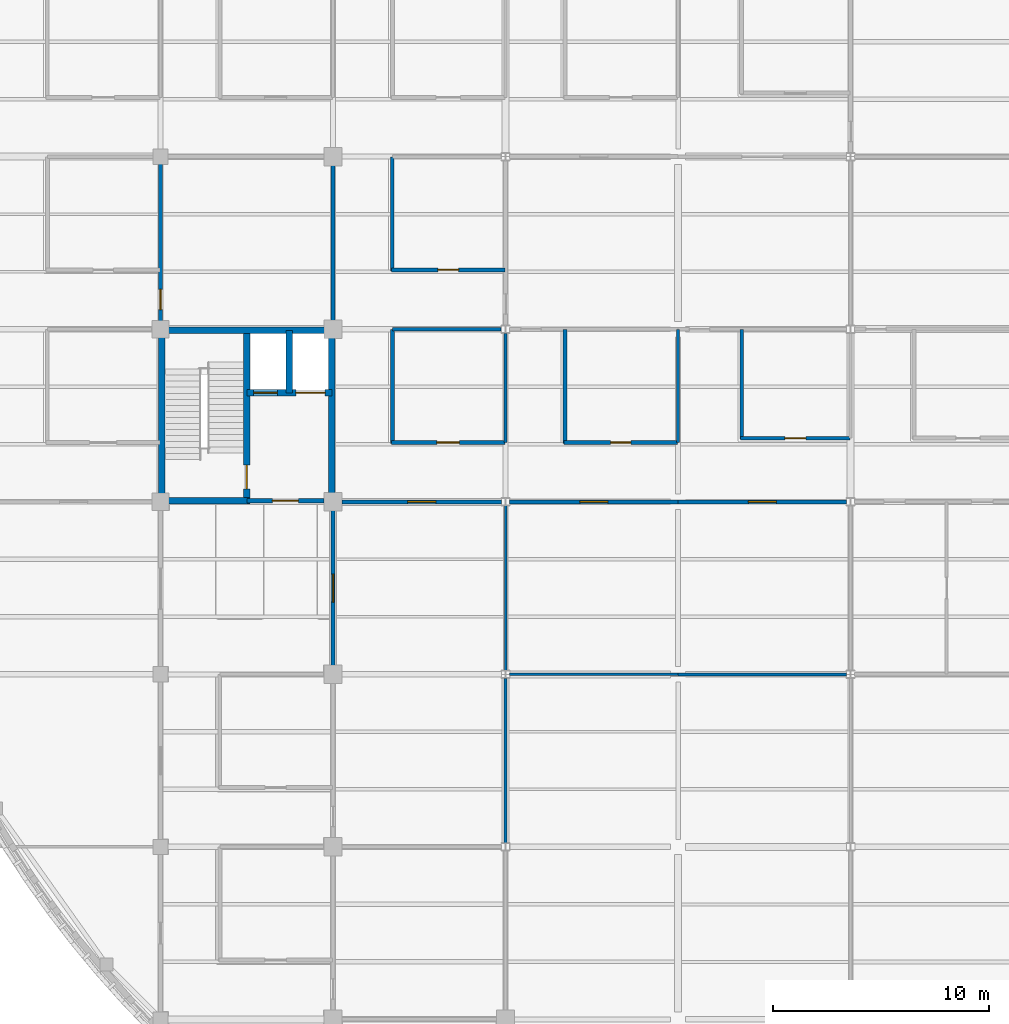
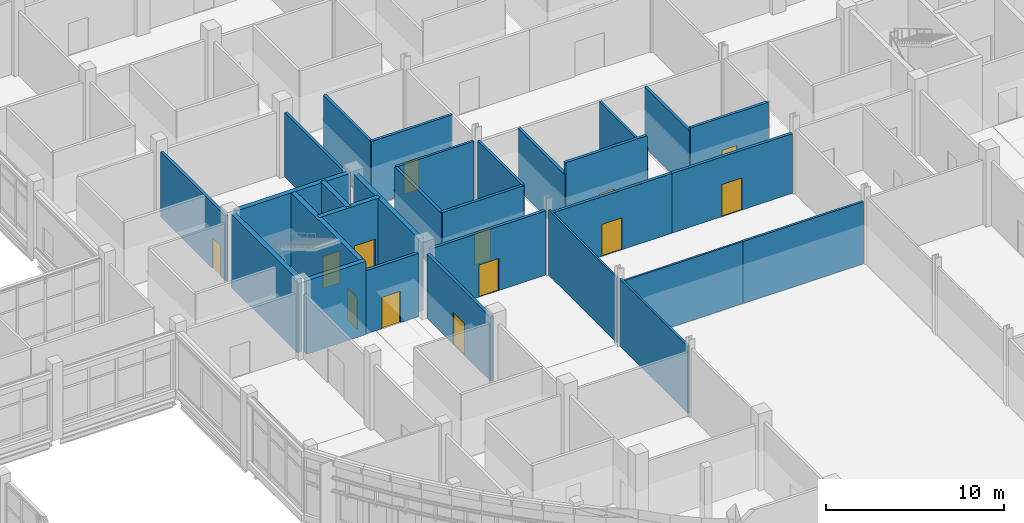
# One storey, part 65 of 105: 29 walls, 13 doors, 13 openings.
"""IFC4 building model written with IfcOpenShell, lengths in metres."""

import ifcopenshell
import ifcopenshell.guid

model = None  # the IFC model being written
_history = None  # IfcOwnerHistory: only IFC2X3 demands one
_inside = {}  # id of a spatial element -> (the spatial element, [elements in it])
_under = {}  # id of a project, library or spatial element -> (it, [spatial elements below it])
_declared = {}  # id of a project -> (the project, [libraries it declares])
_typed = {}  # id of a type object -> (the type object, [elements of that type])
_made_of = {}  # id of a material, layer set ... -> (it, [elements and type objects made of it])


def new_model(schema):
    """Start an empty IFC model of exactly this schema.

    Asked for "IFC4X3", IfcOpenShell would pick the latest addendum, in which some entities
    have other attributes; the version numbers below select the first issue.
    IFC2X3 requires an IfcOwnerHistory on every rooted entity: one is made here for all.
    """
    global model, _history
    if schema == "IFC4X3":
        model = ifcopenshell.file(schema_version=(4, 3, 0, 0))
    else:
        model = ifcopenshell.file(schema=schema)
    _inside.clear()
    _under.clear()
    _declared.clear()
    _typed.clear()
    _made_of.clear()
    _history = None
    if model.schema == "IFC2X3":
        org = make("IfcOrganization", Name="unknown")
        user = make(
            "IfcPersonAndOrganization",
            ThePerson=make("IfcPerson", FamilyName="unknown"),
            TheOrganization=org,
        )
        app = make(
            "IfcApplication",
            ApplicationDeveloper=org,
            Version="unknown",
            ApplicationFullName="unknown",
            ApplicationIdentifier="unknown",
        )
        _history = make(
            "IfcOwnerHistory",
            OwningUser=user,
            OwningApplication=app,
            ChangeAction="ADDED",
            CreationDate=0,
        )
    return model


def make(cls, **values):
    """One entity of the class cls with the attributes given. An attribute that is None is left unset."""
    return model.create_entity(
        cls, **{name: value for name, value in values.items() if value is not None}
    )


def rooted(cls, **values):
    """An entity with a GlobalId (a new one), such as an element, a storey or a relation."""
    return make(cls, GlobalId=ifcopenshell.guid.new(), OwnerHistory=_history, **values)


def si_unit(unit_type, name, prefix=None):
    """IfcSIUnit, for example si_unit("LENGTHUNIT", "METRE", prefix="MILLI")."""
    return make("IfcSIUnit", UnitType=unit_type, Prefix=prefix, Name=name)


def derived_unit(unit_type, elements):
    """IfcDerivedUnit: a product of units, each with its exponent."""
    return make(
        "IfcDerivedUnit",
        Elements=[
            make("IfcDerivedUnitElement", Unit=unit, Exponent=power)
            for unit, power in elements
        ],
        UnitType=unit_type,
    )


def assignment(units):
    """IfcUnitAssignment: the units of a project."""
    return None if units is None else make("IfcUnitAssignment", Units=units)


def point(xyz):
    """IfcCartesianPoint."""
    return None if xyz is None else make("IfcCartesianPoint", Coordinates=xyz)


def direction(xyz):
    """IfcDirection."""
    return None if xyz is None else make("IfcDirection", DirectionRatios=xyz)


def frame(location, z_axis=None, x_axis=None):
    """IfcAxis2Placement3D, a coordinate frame: its origin and axes. An axis left out is left unset."""
    return make(
        "IfcAxis2Placement3D",
        Location=point(location),
        Axis=direction(z_axis),
        RefDirection=direction(x_axis),
    )


def frame_2d(location, x_axis=None):
    """IfcAxis2Placement2D, a coordinate frame in the plane: its origin and x axis."""
    return make(
        "IfcAxis2Placement2D", Location=point(location), RefDirection=direction(x_axis)
    )


def origin():
    """The frame at (0, 0, 0) with its axes left unset."""
    return frame((0.0, 0.0, 0.0))


def place(relative_to, where):
    """IfcLocalPlacement: puts the frame where relative to a parent placement (None: the world)."""
    return make(
        "IfcLocalPlacement", PlacementRelTo=relative_to, RelativePlacement=where
    )


def context(
    kind, dimensions, precision=None, world=None, true_north=None, identifier=None
):
    """IfcGeometricRepresentationContext, for example the 3D "Model" context."""
    return make(
        "IfcGeometricRepresentationContext",
        ContextIdentifier=identifier,
        ContextType=kind,
        CoordinateSpaceDimension=dimensions,
        Precision=precision,
        WorldCoordinateSystem=world,
        TrueNorth=true_north,
    )


def subcontext(parent, identifier, kind, view, scale=None):
    """IfcGeometricRepresentationSubContext, for example "Body" below "Model"."""
    return make(
        "IfcGeometricRepresentationSubContext",
        ContextIdentifier=identifier,
        ContextType=kind,
        ParentContext=parent,
        TargetScale=scale,
        TargetView=view,
    )


def project(units=None, contexts=None):
    """IfcProject with its units and contexts."""
    return rooted(
        "IfcProject",
        Name="project",
        RepresentationContexts=contexts,
        UnitsInContext=assignment(units),
    )


def spatial(cls, under=None, at=None, **own):
    """A site, building, storey or space (cls), placed at a placement, below another one or the project."""
    s = rooted(cls, ObjectPlacement=at, **own)
    if under is not None:
        _under.setdefault(under.id(), (under, []))[1].append(s)
    return s


def profile(cls, at=None, kind="AREA", **sizes):
    """A parametric profile (cls). Its sizes go by their IFC names, for example OverallWidth=200.0."""
    return make(cls, ProfileType=kind, Position=at, **sizes)


def rectangle(**sizes):
    """IfcRectangleProfileDef."""
    return profile("IfcRectangleProfileDef", **sizes)


def extrude(swept, where, along, depth):
    """IfcExtrudedAreaSolid: the profile swept, set in the frame where, extruded along a direction by depth."""
    return make(
        "IfcExtrudedAreaSolid",
        SweptArea=swept,
        Position=where,
        ExtrudedDirection=direction(along),
        Depth=depth,
    )


def shape(context_of_items, identifier, shape_type, items):
    """IfcShapeRepresentation: the items that make up one representation, for example the "Body"."""
    return make(
        "IfcShapeRepresentation",
        ContextOfItems=context_of_items,
        RepresentationIdentifier=identifier,
        RepresentationType=shape_type,
        Items=items,
    )


def material(Name=None, Category=None):
    """IfcMaterial."""
    return make("IfcMaterial", Name=Name, Category=Category)


def layer(
    of_material, thickness, ventilated=None, Name=None, Category=None, Priority=None
):
    """IfcMaterialLayer: one layer of a wall or slab, of a material (None: an air gap)."""
    return make(
        "IfcMaterialLayer",
        Material=of_material,
        LayerThickness=thickness,
        IsVentilated=ventilated,
        Name=Name,
        Category=Category,
        Priority=Priority,
    )


def layer_set(layers, Name=None):
    """IfcMaterialLayerSet."""
    return make("IfcMaterialLayerSet", MaterialLayers=layers, LayerSetName=Name)


def made_of(thing, what):
    """Note that an element or type object is made of a material, layer set ...; save() writes the relation."""
    if what is not None:
        _made_of.setdefault(what.id(), (what, []))[1].append(thing)
    return thing


def type_object(cls, material=None, **own):
    """A type object (cls), such as IfcWallType, which elements share."""
    return made_of(rooted(cls, **own), material)


def element(
    cls,
    number,
    at=None,
    inside=None,
    cuts=None,
    type_object=None,
    material=None,
    context=None,
    identifier="Body",
    shape_type=None,
    held_by="IfcProductDefinitionShape",
    body=None,
    shapes=None,
    **own,
):
    """One element of the class cls, such as IfcWall. Its Tag is "e" and its number.

    at: its placement. inside: the storey or other place that contains it. cuts: it is an
    opening in that element (IfcRelVoidsElement). A single representation is given by context,
    identifier, shape_type and body (its items); several are given by shapes. held_by: the class
    of the entity that holds the representations. save() writes the other relations.
    """
    e = rooted(cls, Tag="e%d" % number, ObjectPlacement=at, **own)
    if body is not None:
        shapes = [shape(context, identifier, shape_type, body)]
    if shapes is not None:
        e.Representation = make(held_by, Representations=shapes)
    if inside is not None:
        _inside.setdefault(inside.id(), (inside, []))[1].append(e)
    if cuts is not None:
        rooted(
            "IfcRelVoidsElement", RelatingBuildingElement=cuts, RelatedOpeningElement=e
        )
    if type_object is not None:
        _typed.setdefault(type_object.id(), (type_object, []))[1].append(e)
    return made_of(e, material)


def fill(opening, filler):
    """IfcRelFillsElement: the door or window that sits in an opening."""
    return rooted(
        "IfcRelFillsElement",
        RelatingOpeningElement=opening,
        RelatedBuildingElement=filler,
    )


def aggregate(whole, parts):
    """IfcRelAggregates: a whole, such as a stair, and the parts it consists of."""
    return rooted("IfcRelAggregates", RelatingObject=whole, RelatedObjects=parts)


def save(model, path):
    """Write the relations noted so far, then the file.

    IfcRelAggregates (storeys below a building ...), IfcRelContainedInSpatialStructure (elements
    in a storey), IfcRelDefinesByType, IfcRelAssociatesMaterial and IfcRelDeclares: one each for
    every whole, place, type object, material and project.
    """
    for whole, parts in _under.values():
        aggregate(whole, parts)
    for where, things in _inside.values():
        rooted(
            "IfcRelContainedInSpatialStructure",
            RelatedElements=things,
            RelatingStructure=where,
        )
    for kind, things in _typed.values():
        rooted("IfcRelDefinesByType", RelatedObjects=things, RelatingType=kind)
    for what, things in _made_of.values():
        rooted("IfcRelAssociatesMaterial", RelatedObjects=things, RelatingMaterial=what)
    for by, libraries in _declared.values():
        rooted("IfcRelDeclares", RelatingContext=by, RelatedDefinitions=libraries)
    model.write(path)


model = new_model("IFC4")

# Units and contexts
model_context = context("Model", 3, precision=1e-05, world=origin(), true_north=direction((0.0, 1.0)))
body_context = subcontext(model_context, "Body", "Model", "MODEL_VIEW")
ifc_project = project(units=[si_unit("LENGTHUNIT", "METRE"), si_unit("AREAUNIT", "SQUARE_METRE"), si_unit("VOLUMEUNIT", "CUBIC_METRE"), si_unit("PLANEANGLEUNIT", "RADIAN"), si_unit("MASSUNIT", "GRAM", prefix="KILO"), derived_unit("THERMALTRANSMITTANCEUNIT", [(si_unit("MASSUNIT", "GRAM", prefix="KILO"), 1), (si_unit("TIMEUNIT", "SECOND"), -3), (si_unit("THERMODYNAMICTEMPERATUREUNIT", "KELVIN"), -1)])], contexts=[model_context])

# Site, building, storey
site_placement = place(None, origin())
site = spatial("IfcSite", under=ifc_project, at=site_placement, CompositionType="ELEMENT")
building_placement = place(site_placement, origin())
building = spatial("IfcBuilding", under=site, at=building_placement, Name="Veyamyaing Civic Hall", CompositionType="ELEMENT")
storey_placement = place(building_placement, origin())
storey = spatial("IfcBuildingStorey", under=building, at=storey_placement, Name="L00", CompositionType="ELEMENT", Elevation=0.0)

# Walls
ifc_material_1 = material(Name="Concrete C40/50", Category="concrete")
ifc_layer_1 = layer(ifc_material_1, 0.300048828125, Name="Concrete C40/50")
ifc_layer_set_1 = layer_set([ifc_layer_1], Name="Concrete C40/50")
wall_type_1 = type_object("IfcWallType", Name="WT-05", PredefinedType="SHEAR", material=ifc_layer_set_1)
wall_1_placement = place(storey_placement, frame((64.050048828125, 48.2900390625, 0.0), z_axis=(0.0, 0.0, 1.0), x_axis=(0.0, 1.0, 0.0)))
element("IfcWall", 1, at=wall_1_placement, inside=storey, type_object=wall_type_1, Name="Core shear wall WT-05 CORE-5 L00.W", PredefinedType="SHEAR", context=body_context, shape_type="SweptSolid", body=[
    extrude(rectangle(XDim=7.419921875, YDim=0.300048828125, at=frame_2d((3.7099609375, 0.0))), origin(), (0.0, 0.0, 1.0), 5.034912109375),
])
wall_2_placement = place(storey_placement, frame((64.2900390625, 55.949951171875, 0.0), z_axis=(0.0, 0.0, 1.0), x_axis=(1.0, 0.0, 0.0)))
element("IfcWall", 2, at=wall_2_placement, inside=storey, type_object=wall_type_1, Name="Core shear wall WT-05 CORE-5 L00.N", PredefinedType="SHEAR", context=body_context, shape_type="SweptSolid", body=[
    extrude(rectangle(XDim=7.39501953125, YDim=0.300048828125, at=frame_2d((3.697509765625, 0.0))), origin(), (0.0, 0.0, 1.0), 5.034912109375),
])
wall_3_placement = place(storey_placement, frame((71.949951171875, 48.31494140625, 0.0), z_axis=(0.0, 0.0, 1.0), x_axis=(0.0, 1.0, 0.0)))
element("IfcWall", 3, at=wall_3_placement, inside=storey, type_object=wall_type_1, Name="Core shear wall WT-05 CORE-5 L00.E", PredefinedType="SHEAR", context=body_context, shape_type="SweptSolid", body=[
    extrude(rectangle(XDim=7.3701171875, YDim=0.300048828125, at=frame_2d((3.68505859375, 0.0))), origin(), (0.0, 0.0, 1.0), 5.034912109375),
])
wall_4_placement = place(storey_placement, frame((64.2900390625, 48.050048828125, 0.0), z_axis=(0.0, 0.0, 1.0), x_axis=(1.0, 0.0, 0.0)))
element("IfcWall", 4, at=wall_4_placement, inside=storey, type_object=wall_type_1, Name="Core shear wall WT-05 CORE-5 L00.SS", PredefinedType="SHEAR", context=body_context, shape_type="SweptSolid", body=[
    extrude(rectangle(XDim=3.85986328125, YDim=0.300048828125, at=frame_2d((1.929931640625, 0.0))), origin(), (0.0, 0.0, 1.0), 5.034912109375),
])

# Wall, opening, door
wall_5_placement = place(storey_placement, frame((68.0, 48.050048828125, 0.0), z_axis=(0.0, 0.0, 1.0), x_axis=(0.0, 1.0, 0.0)))
wall_5 = element("IfcWall", 5, at=wall_5_placement, inside=storey, type_object=wall_type_1, Name="Core shear wall WT-05 CORE-5 L00.MID", PredefinedType="SHEAR", context=body_context, shape_type="SweptSolid", body=[
    extrude(rectangle(XDim=7.89990234375, YDim=0.300048828125, at=frame_2d((3.949951171875, 0.0))), origin(), (0.0, 0.0, 1.0), 5.034912109375),
])
opening_1_placement = place(wall_5_placement, frame((0.550048828125, 0.0, 0.0)))
opening_1 = element("IfcOpeningElement", 6, at=opening_1_placement, cuts=wall_5, Name="Opening D-03", PredefinedType="OPENING", context=body_context, shape_type="SweptSolid", body=[
    extrude(rectangle(XDim=1.10009765625, YDim=2.14990234375, at=frame_2d((0.550048828125, 1.074951171875))), frame((0.0, 0.159912109375, 0.0), z_axis=(0.0, -1.0, 0.0), x_axis=(1.0, 0.0, 0.0)), (0.0, 0.0, 1.0), 0.320068359375),
])
ifc_material_2 = material(Name="Galvanized steel S355J2", Category="steel")
door_type_1 = type_object("IfcDoorType", Name="D-03", OperationType="NOTDEFINED", PredefinedType="DOOR", material=ifc_material_2)
door_1_placement = place(opening_1_placement, frame((1.10009765625, 0.0, 0.0), z_axis=(0.0, 0.0, 1.0), x_axis=(-1.0, 0.0, 0.0)))
door_1 = element("IfcDoor", 7, at=door_1_placement, inside=storey, type_object=door_type_1, Name="Exit stair fire door D-03 ST-05 L00", OperationType="SINGLE_SWING_RIGHT", OverallHeight=2.14990234375, OverallWidth=1.10009765625, PredefinedType="DOOR", context=body_context, shape_type="SweptSolid", body=[
    extrude(rectangle(XDim=1.10009765625, YDim=2.14990234375, at=frame_2d((0.550048828125, 1.074951171875))), frame((0.0, 0.02490234375, 0.0), z_axis=(0.0, -1.0, 0.0), x_axis=(1.0, 0.0, 0.0)), (0.0, 0.0, 1.0), 0.050048828125),
])
fill(opening_1, door_1)

# Wall, openings, doors
wall_6_placement = place(storey_placement, frame((68.0, 53.050048828125, 0.0), z_axis=(0.0, 0.0, 1.0), x_axis=(1.0, 0.0, 0.0)))
wall_6 = element("IfcWall", 8, at=wall_6_placement, inside=storey, type_object=wall_type_1, Name="Core shear wall WT-05 CORE-5 L00.LFT", PredefinedType="SHEAR", context=body_context, shape_type="SweptSolid", body=[
    extrude(rectangle(XDim=3.949951171875, YDim=0.300048828125, at=frame_2d((1.97509765625, 0.0))), origin(), (0.0, 0.0, 1.0), 5.034912109375),
])
opening_2_placement = place(wall_6_placement, frame((0.320068359375, 0.0, 0.0)))
opening_2 = element("IfcOpeningElement", 9, at=opening_2_placement, cuts=wall_6, Name="Opening LD-01", PredefinedType="OPENING", context=body_context, shape_type="SweptSolid", body=[
    extrude(rectangle(XDim=1.10009765625, YDim=2.199951171875, at=frame_2d((0.550048828125, 1.10009765625))), frame((0.0, 0.159912109375, 0.0), z_axis=(0.0, -1.0, 0.0), x_axis=(1.0, 0.0, 0.0)), (0.0, 0.0, 1.0), 0.320068359375),
])
opening_3_placement = place(wall_6_placement, frame((2.280029296875, 0.0, 0.0)))
opening_3 = element("IfcOpeningElement", 10, at=opening_3_placement, cuts=wall_6, Name="Opening LD-03", PredefinedType="OPENING", context=body_context, shape_type="SweptSolid", body=[
    extrude(rectangle(XDim=1.35009765625, YDim=2.300048828125, at=frame_2d((0.675048828125, 1.14990234375))), frame((0.0, 0.159912109375, 0.0), z_axis=(0.0, -1.0, 0.0), x_axis=(1.0, 0.0, 0.0)), (0.0, 0.0, 1.0), 0.320068359375),
])
ifc_material_3 = material(Name="Anodised aluminium 6063-T6", Category="aluminium")
door_type_2 = type_object("IfcDoorType", Name="LD-01", OperationType="SLIDING_TO_LEFT", PredefinedType="DOOR", material=ifc_material_3)
door_2_placement = place(opening_2_placement, origin())
door_2 = element("IfcDoor", 11, at=door_2_placement, inside=storey, type_object=door_type_2, Name="Lift sliding landing door LD-01 PL-03 L00", OperationType="SLIDING_TO_LEFT", OverallHeight=2.199951171875, OverallWidth=1.10009765625, PredefinedType="DOOR", context=body_context, shape_type="SweptSolid", body=[
    extrude(rectangle(XDim=1.10009765625, YDim=2.199951171875, at=frame_2d((0.550048828125, 1.10009765625))), frame((0.0, 0.02490234375, 0.0), z_axis=(0.0, -1.0, 0.0), x_axis=(1.0, 0.0, 0.0)), (0.0, 0.0, 1.0), 0.050048828125),
])
fill(opening_2, door_2)
door_type_3 = type_object("IfcDoorType", Name="LD-03", OperationType="DOUBLE_DOOR_SLIDING", PredefinedType="DOOR", material=ifc_material_2)
door_3_placement = place(opening_3_placement, origin())
door_3 = element("IfcDoor", 12, at=door_3_placement, inside=storey, type_object=door_type_3, Name="Lift sliding landing door LD-03 GL-01 L00", OperationType="DOUBLE_DOOR_SLIDING", OverallHeight=2.300048828125, OverallWidth=1.35009765625, PredefinedType="DOOR", context=body_context, shape_type="SweptSolid", body=[
    extrude(rectangle(XDim=1.35009765625, YDim=2.300048828125, at=frame_2d((0.675048828125, 1.14990234375))), frame((0.0, 0.02490234375, 0.0), z_axis=(0.0, -1.0, 0.0), x_axis=(1.0, 0.0, 0.0)), (0.0, 0.0, 1.0), 0.050048828125),
])
fill(opening_3, door_3)

# Wall
wall_7_placement = place(storey_placement, frame((69.97998046875, 53.050048828125, 0.0), z_axis=(0.0, 0.0, 1.0), x_axis=(0.0, 1.0, 0.0)))
element("IfcWall", 13, at=wall_7_placement, inside=storey, type_object=wall_type_1, Name="Core shear wall WT-05 CORE-5 L00.LDIV", PredefinedType="SHEAR", context=body_context, shape_type="SweptSolid", body=[
    extrude(rectangle(XDim=2.89990234375, YDim=0.300048828125, at=frame_2d((1.449951171875, 0.0))), origin(), (0.0, 0.0, 1.0), 5.034912109375),
])

# Wall, opening, door
ifc_layer_2 = layer(ifc_material_1, 0.199951171875, Name="Concrete C40/50")
ifc_layer_set_2 = layer_set([ifc_layer_2], Name="Concrete C40/50")
wall_type_2 = type_object("IfcWallType", Name="WT-06", PredefinedType="PARTITIONING", material=ifc_layer_set_2)
wall_8_placement = place(storey_placement, frame((68.0, 48.050048828125, 0.0), z_axis=(0.0, 0.0, 1.0), x_axis=(1.0, 0.0, 0.0)))
wall_8 = element("IfcWall", 14, at=wall_8_placement, inside=storey, type_object=wall_type_2, Name="Firefighting lift lobby wall WT-06 CORE-5 L00", PredefinedType="PARTITIONING", context=body_context, shape_type="SweptSolid", body=[
    extrude(rectangle(XDim=3.5849609375, YDim=0.199951171875, at=frame_2d((1.79248046875, 0.0))), origin(), (0.0, 0.0, 1.0), 4.3359375),
])
opening_4_placement = place(wall_8_placement, frame((1.1923828125, 0.0, 0.0)))
opening_4 = element("IfcOpeningElement", 15, at=opening_4_placement, cuts=wall_8, Name="Opening D-04", PredefinedType="OPENING", context=body_context, shape_type="SweptSolid", body=[
    extrude(rectangle(XDim=1.199951171875, YDim=2.14990234375, at=frame_2d((0.60009765625, 1.074951171875))), frame((0.0, 0.10986328125, 0.0), z_axis=(0.0, -1.0, 0.0), x_axis=(1.0, 0.0, 0.0)), (0.0, 0.0, 1.0), 0.219970703125),
])
door_type_4 = type_object("IfcDoorType", Name="D-04", OperationType="NOTDEFINED", PredefinedType="DOOR", material=ifc_material_2)
door_4_placement = place(opening_4_placement, frame((1.199951171875, 0.0, 0.0), z_axis=(0.0, 0.0, 1.0), x_axis=(-1.0, 0.0, 0.0)))
door_4 = element("IfcDoor", 16, at=door_4_placement, inside=storey, type_object=door_type_4, Name="Protected lobby fire door D-04 CORE-5 L00", OperationType="SINGLE_SWING_LEFT", OverallHeight=2.14990234375, OverallWidth=1.199951171875, PredefinedType="DOOR", context=body_context, shape_type="SweptSolid", body=[
    extrude(rectangle(XDim=1.199951171875, YDim=2.14990234375, at=frame_2d((0.60009765625, 1.074951171875))), frame((0.0, 0.02490234375, 0.0), z_axis=(0.0, -1.0, 0.0), x_axis=(1.0, 0.0, 0.0)), (0.0, 0.0, 1.0), 0.050048828125),
])
fill(opening_4, door_4)

ifc_material_4 = material(Name="Gypsum board on acoustic steel stud", Category="steel")
ifc_layer_3 = layer(ifc_material_4, 0.175048828125, Name="Gypsum board on acoustic steel stud")
ifc_layer_set_3 = layer_set([ifc_layer_3], Name="Gypsum board on acoustic steel stud")
wall_type_3 = type_object("IfcWallType", Name="WT-07", PredefinedType="PARTITIONING", material=ifc_layer_set_3)
wall_9_placement = place(storey_placement, frame((74.699951171875, 58.75, 0.0), z_axis=(0.0, 0.0, 1.0), x_axis=(1.0, 0.0, 0.0)))
wall_9 = element("IfcWall", 17, at=wall_9_placement, inside=storey, type_object=wall_type_3, Name="Corridor gallery partition WT-07 L00.35.1", PredefinedType="PARTITIONING", context=body_context, shape_type="SweptSolid", body=[
    extrude(rectangle(XDim=5.280029296875, YDim=0.175048828125, at=frame_2d((2.64013671875, 0.0))), origin(), (0.0, 0.0, 1.0), 4.412109375),
])
opening_5_placement = place(wall_9_placement, frame((2.159912109375, 0.0, 0.0)))
opening_5 = element("IfcOpeningElement", 18, at=opening_5_placement, cuts=wall_9, Name="Opening D-25", PredefinedType="OPENING", context=body_context, shape_type="SweptSolid", body=[
    extrude(rectangle(XDim=0.9599609375, YDim=2.139892578125, at=frame_2d((0.47998046875, 1.06982421875))), frame((0.0, 0.097412109375, 0.0), z_axis=(0.0, -1.0, 0.0), x_axis=(1.0, 0.0, 0.0)), (0.0, 0.0, 1.0), 0.195068359375),
])
ifc_material_5 = material(Name="Teak-veneered acoustic timber", Category="wood")
door_type_5 = type_object("IfcDoorType", Name="D-25", OperationType="NOTDEFINED", PredefinedType="DOOR", material=ifc_material_5)
door_5_placement = place(opening_5_placement, origin())
door_5 = element("IfcDoor", 19, at=door_5_placement, inside=storey, type_object=door_type_5, Name="Gallery office door D-25 L00.35", OperationType="SINGLE_SWING_RIGHT", OverallHeight=2.139892578125, OverallWidth=0.9599609375, PredefinedType="DOOR", context=body_context, shape_type="SweptSolid", body=[
    extrude(rectangle(XDim=0.9599609375, YDim=2.139892578125, at=frame_2d((0.47998046875, 1.06982421875))), frame((0.0, 0.02490234375, 0.0), z_axis=(0.0, -1.0, 0.0), x_axis=(1.0, 0.0, 0.0)), (0.0, 0.0, 1.0), 0.050048828125),
])
fill(opening_5, door_5)

# Wall
wall_10_placement = place(storey_placement, frame((74.75, 58.699951171875, 0.0), z_axis=(0.0, 0.0, 1.0), x_axis=(0.0, 1.0, 0.0)))
element("IfcWall", 20, at=wall_10_placement, inside=storey, type_object=wall_type_3, Name="Corridor gallery partition WT-07 L00.35.2", PredefinedType="PARTITIONING", context=body_context, shape_type="SweptSolid", body=[
    extrude(rectangle(XDim=5.280029296875, YDim=0.175048828125, at=frame_2d((2.64013671875, 0.0))), origin(), (0.0, 0.0, 1.0), 4.403076171875),
])

# Wall, opening, door
wall_11_placement = place(storey_placement, frame((90.89990234375, 50.949951171875, 0.0), z_axis=(0.0, 0.0, 1.0), x_axis=(1.0, 0.0, 0.0)))
wall_11 = element("IfcWall", 21, at=wall_11_placement, inside=storey, type_object=wall_type_3, Name="Corridor gallery partition WT-07 L00.41.1", PredefinedType="PARTITIONING", context=body_context, shape_type="SweptSolid", body=[
    extrude(rectangle(XDim=5.080078125, YDim=0.175048828125, at=frame_2d((2.5400390625, 0.0))), origin(), (0.0, 0.0, 1.0), 4.404052734375),
])
opening_6_placement = place(wall_11_placement, frame((2.050048828125, 0.0, 0.0)))
opening_6 = element("IfcOpeningElement", 22, at=opening_6_placement, cuts=wall_11, Name="Opening D-14", PredefinedType="OPENING", context=body_context, shape_type="SweptSolid", body=[
    extrude(rectangle(XDim=0.97998046875, YDim=2.14990234375, at=frame_2d((0.489990234375, 1.074951171875))), frame((0.0, 0.097412109375, 0.0), z_axis=(0.0, -1.0, 0.0), x_axis=(1.0, 0.0, 0.0)), (0.0, 0.0, 1.0), 0.195068359375),
])
door_type_6 = type_object("IfcDoorType", Name="D-14", OperationType="NOTDEFINED", PredefinedType="DOOR", material=ifc_material_5)
door_6_placement = place(opening_6_placement, origin())
door_6 = element("IfcDoor", 23, at=door_6_placement, inside=storey, type_object=door_type_6, Name="Gallery office door D-14 L00.41", OperationType="SINGLE_SWING_RIGHT", OverallHeight=2.14990234375, OverallWidth=0.97998046875, PredefinedType="DOOR", context=body_context, shape_type="SweptSolid", body=[
    extrude(rectangle(XDim=0.97998046875, YDim=2.14990234375, at=frame_2d((0.489990234375, 1.074951171875))), frame((0.0, 0.02490234375, 0.0), z_axis=(0.0, -1.0, 0.0), x_axis=(1.0, 0.0, 0.0)), (0.0, 0.0, 1.0), 0.050048828125),
])
fill(opening_6, door_6)

# Wall
wall_12_placement = place(storey_placement, frame((90.949951171875, 50.89990234375, 0.0), z_axis=(0.0, 0.0, 1.0), x_axis=(0.0, 1.0, 0.0)))
element("IfcWall", 24, at=wall_12_placement, inside=storey, type_object=wall_type_3, Name="Corridor gallery partition WT-07 L00.41.2", PredefinedType="PARTITIONING", context=body_context, shape_type="SweptSolid", body=[
    extrude(rectangle(XDim=5.080078125, YDim=0.175048828125, at=frame_2d((2.5400390625, 0.0))), origin(), (0.0, 0.0, 1.0), 4.1689453125),
])

# Wall, opening, door
wall_13_placement = place(storey_placement, frame((64.0, 56.389892578125, 0.0), z_axis=(0.0, 0.0, 1.0), x_axis=(0.0, 1.0, 0.0)))
wall_13 = element("IfcWall", 25, at=wall_13_placement, inside=storey, type_object=wall_type_3, Name="Interior partition wall WT-07 L00.45", PredefinedType="PARTITIONING", context=body_context, shape_type="SweptSolid", body=[
    extrude(rectangle(XDim=7.27001953125, YDim=0.175048828125, at=frame_2d((3.635009765625, 0.0))), origin(), (0.0, 0.0, 1.0), 4.470947265625),
])
opening_7_placement = place(wall_13_placement, frame((0.52001953125, 0.0, 0.0)))
opening_7 = element("IfcOpeningElement", 26, at=opening_7_placement, cuts=wall_13, Name="Opening D-30", PredefinedType="OPENING", context=body_context, shape_type="SweptSolid", body=[
    extrude(rectangle(XDim=0.93994140625, YDim=2.1201171875, at=frame_2d((0.469970703125, 1.06005859375))), frame((0.0, 0.097412109375, 0.0), z_axis=(0.0, -1.0, 0.0), x_axis=(1.0, 0.0, 0.0)), (0.0, 0.0, 1.0), 0.195068359375),
])
door_type_7 = type_object("IfcDoorType", Name="D-30", OperationType="NOTDEFINED", PredefinedType="DOOR", material=ifc_material_5)
door_7_placement = place(opening_7_placement, frame((0.93994140625, 0.0, 0.0), z_axis=(0.0, 0.0, 1.0), x_axis=(-1.0, 0.0, 0.0)))
door_7 = element("IfcDoor", 27, at=door_7_placement, inside=storey, type_object=door_type_7, Name="Interior door D-30 L00.45", OperationType="SINGLE_SWING_LEFT", OverallHeight=2.1201171875, OverallWidth=0.93994140625, PredefinedType="DOOR", context=body_context, shape_type="SweptSolid", body=[
    extrude(rectangle(XDim=0.93994140625, YDim=2.1201171875, at=frame_2d((0.469970703125, 1.06005859375))), frame((0.0, 0.02490234375, 0.0), z_axis=(0.0, -1.0, 0.0), x_axis=(1.0, 0.0, 0.0)), (0.0, 0.0, 1.0), 0.050048828125),
])
fill(opening_7, door_7)

# Walls
wall_14_placement = place(storey_placement, frame((72.0, 56.4150390625, 0.0), z_axis=(0.0, 0.0, 1.0), x_axis=(0.0, 1.0, 0.0)))
element("IfcWall", 28, at=wall_14_placement, inside=storey, type_object=wall_type_3, Name="Interior partition wall WT-07 L00.53", PredefinedType="PARTITIONING", context=body_context, shape_type="SweptSolid", body=[
    extrude(rectangle(XDim=7.169921875, YDim=0.175048828125, at=frame_2d((3.5849609375, 0.0))), origin(), (0.0, 0.0, 1.0), 4.403076171875),
])
ifc_material_6 = material(Name="Gypsum board on steel stud", Category="steel")
ifc_layer_4 = layer(ifc_material_6, 0.14990234375, Name="Gypsum board on steel stud")
ifc_layer_set_4 = layer_set([ifc_layer_4], Name="Gypsum board on steel stud")
wall_type_4 = type_object("IfcWallType", Name="WT-08", PredefinedType="PARTITIONING", material=ifc_layer_set_4)
wall_15_placement = place(storey_placement, frame((74.75, 56.0, 0.0), z_axis=(0.0, 0.0, 1.0), x_axis=(1.0, 0.0, 0.0)))
element("IfcWall", 29, at=wall_15_placement, inside=storey, type_object=wall_type_4, Name="Gallery office end partition WT-08 L00.34.1", PredefinedType="PARTITIONING", context=body_context, shape_type="SweptSolid", body=[
    extrude(rectangle(XDim=5.041015625, YDim=0.14990234375, at=frame_2d((2.5205078125, 0.0))), origin(), (0.0, 0.0, 1.0), 4.326904296875),
])
wall_16_placement = place(storey_placement, frame((80.0, 50.75, 0.0), z_axis=(0.0, 0.0, 1.0), x_axis=(0.0, 1.0, 0.0)))
element("IfcWall", 30, at=wall_16_placement, inside=storey, type_object=wall_type_4, Name="Gallery office end partition WT-08 L00.34.2", PredefinedType="PARTITIONING", context=body_context, shape_type="SweptSolid", body=[
    extrude(rectangle(XDim=5.04638671875, YDim=0.14990234375, at=frame_2d((2.523193359375, 0.0))), origin(), (0.0, 0.0, 1.0), 4.403076171875),
])
wall_17_placement = place(storey_placement, frame((88.0, 50.75, 0.0), z_axis=(0.0, 0.0, 1.0), x_axis=(0.0, 1.0, 0.0)))
element("IfcWall", 31, at=wall_17_placement, inside=storey, type_object=wall_type_4, Name="Gallery office end partition WT-08 L00.38.2", PredefinedType="PARTITIONING", context=body_context, shape_type="SweptSolid", body=[
    extrude(rectangle(XDim=5.22998046875, YDim=0.14990234375, at=frame_2d((2.614990234375, 0.0))), origin(), (0.0, 0.0, 1.0), 4.1689453125),
])
ifc_layer_5 = layer(ifc_material_6, 0.135009765625, Name="Gypsum board on steel stud")
ifc_layer_set_5 = layer_set([ifc_layer_5], Name="Gypsum board on steel stud")
wall_type_5 = type_object("IfcWallType", Name="WT-15", PredefinedType="PARTITIONING", material=ifc_layer_set_5)
wall_18_placement = place(storey_placement, frame((80.0, 32.18359375, 0.0), z_axis=(0.0, 0.0, 1.0), x_axis=(0.0, 1.0, 0.0)))
element("IfcWall", 32, at=wall_18_placement, inside=storey, type_object=wall_type_5, Name="Interior partition wall WT-15 L00.64", PredefinedType="PARTITIONING", context=body_context, shape_type="SweptSolid", body=[
    extrude(rectangle(XDim=7.6328125, YDim=0.135009765625, at=frame_2d((3.81640625, 0.0))), origin(), (0.0, 0.0, 1.0), 4.60693359375),
])
ifc_layer_6 = layer(ifc_material_6, 0.1201171875, Name="Gypsum board on steel stud")
ifc_layer_set_6 = layer_set([ifc_layer_6], Name="Gypsum board on steel stud")
wall_type_6 = type_object("IfcWallType", Name="WT-16", PredefinedType="PARTITIONING", material=ifc_layer_set_6)
wall_19_placement = place(storey_placement, frame((80.0, 40.18359375, 0.0), z_axis=(0.0, 0.0, 1.0), x_axis=(0.0, 1.0, 0.0)))
element("IfcWall", 33, at=wall_19_placement, inside=storey, type_object=wall_type_6, Name="Interior partition wall WT-16 L00.65", PredefinedType="PARTITIONING", context=body_context, shape_type="SweptSolid", body=[
    extrude(rectangle(XDim=7.6328125, YDim=0.1201171875, at=frame_2d((3.81640625, 0.0))), origin(), (0.0, 0.0, 1.0), 4.470947265625),
])
wall_20_placement = place(storey_placement, frame((80.18896484375, 40.0, 0.0), z_axis=(0.0, 0.0, 1.0), x_axis=(1.0, 0.0, 0.0)))
element("IfcWall", 34, at=wall_20_placement, inside=storey, type_object=wall_type_6, Name="Interior partition wall WT-16 L00.73", PredefinedType="PARTITIONING", context=body_context, shape_type="SweptSolid", body=[
    extrude(rectangle(XDim=7.81103515625, YDim=0.1201171875, at=frame_2d((3.905517578125, 0.0))), origin(), (0.0, 0.0, 1.0), 4.261962890625),
])

# Wall, opening, door
ifc_material_7 = material(Name="Gypsum board on double acoustic stud")
ifc_layer_7 = layer(ifc_material_7, 0.18505859375, Name="Gypsum board on double acoustic stud")
ifc_layer_set_7 = layer_set([ifc_layer_7], Name="Gypsum board on double acoustic stud")
wall_type_7 = type_object("IfcWallType", Name="WT-19", PredefinedType="PARTITIONING", material=ifc_layer_set_7)
wall_21_placement = place(storey_placement, frame((74.699951171875, 50.75, 0.0), z_axis=(0.0, 0.0, 1.0), x_axis=(1.0, 0.0, 0.0)))
wall_21 = element("IfcWall", 35, at=wall_21_placement, inside=storey, type_object=wall_type_7, Name="Corridor gallery partition WT-19 L00.34.1", PredefinedType="PARTITIONING", context=body_context, shape_type="SweptSolid", body=[
    extrude(rectangle(XDim=5.280029296875, YDim=0.18505859375, at=frame_2d((2.64013671875, 0.0))), origin(), (0.0, 0.0, 1.0), 4.403076171875),
])
opening_8_placement = place(wall_21_placement, frame((2.1201171875, 0.0, 0.0)))
opening_8 = element("IfcOpeningElement", 36, at=opening_8_placement, cuts=wall_21, Name="Opening D-24", PredefinedType="OPENING", context=body_context, shape_type="SweptSolid", body=[
    extrude(rectangle(XDim=1.0400390625, YDim=2.179931640625, at=frame_2d((0.52001953125, 1.08984375))), frame((0.0, 0.1025390625, 0.0), z_axis=(0.0, -1.0, 0.0), x_axis=(1.0, 0.0, 0.0)), (0.0, 0.0, 1.0), 0.205078125),
])
door_type_8 = type_object("IfcDoorType", Name="D-24", OperationType="NOTDEFINED", PredefinedType="DOOR", material=ifc_material_5)
door_8_placement = place(opening_8_placement, origin())
door_8 = element("IfcDoor", 37, at=door_8_placement, inside=storey, type_object=door_type_8, Name="Gallery office door D-24 L00.34", OperationType="SINGLE_SWING_LEFT", OverallHeight=2.179931640625, OverallWidth=1.0400390625, PredefinedType="DOOR", context=body_context, shape_type="SweptSolid", body=[
    extrude(rectangle(XDim=1.0400390625, YDim=2.179931640625, at=frame_2d((0.52001953125, 1.08984375))), frame((0.0, 0.02490234375, 0.0), z_axis=(0.0, -1.0, 0.0), x_axis=(1.0, 0.0, 0.0)), (0.0, 0.0, 1.0), 0.050048828125),
])
fill(opening_8, door_8)

# Wall
wall_22_placement = place(storey_placement, frame((74.75, 50.699951171875, 0.0), z_axis=(0.0, 0.0, 1.0), x_axis=(0.0, 1.0, 0.0)))
element("IfcWall", 38, at=wall_22_placement, inside=storey, type_object=wall_type_7, Name="Corridor gallery partition WT-19 L00.34.2", PredefinedType="PARTITIONING", context=body_context, shape_type="SweptSolid", body=[
    extrude(rectangle(XDim=5.280029296875, YDim=0.18505859375, at=frame_2d((2.64013671875, 0.0))), origin(), (0.0, 0.0, 1.0), 4.326904296875),
])

# Wall, opening, door
wall_23_placement = place(storey_placement, frame((82.699951171875, 50.75, 0.0), z_axis=(0.0, 0.0, 1.0), x_axis=(1.0, 0.0, 0.0)))
wall_23 = element("IfcWall", 39, at=wall_23_placement, inside=storey, type_object=wall_type_7, Name="Corridor gallery partition WT-19 L00.38.1", PredefinedType="PARTITIONING", context=body_context, shape_type="SweptSolid", body=[
    extrude(rectangle(XDim=5.280029296875, YDim=0.18505859375, at=frame_2d((2.64013671875, 0.0))), origin(), (0.0, 0.0, 1.0), 5.02490234375),
])
opening_9_placement = place(wall_23_placement, frame((2.169921875, 0.0, 0.0)))
opening_9 = element("IfcOpeningElement", 40, at=opening_9_placement, cuts=wall_23, Name="Opening D-30", PredefinedType="OPENING", context=body_context, shape_type="SweptSolid", body=[
    extrude(rectangle(XDim=0.93994140625, YDim=2.1201171875, at=frame_2d((0.469970703125, 1.06005859375))), frame((0.0, 0.1025390625, 0.0), z_axis=(0.0, -1.0, 0.0), x_axis=(1.0, 0.0, 0.0)), (0.0, 0.0, 1.0), 0.205078125),
])
door_9_placement = place(opening_9_placement, origin())
door_9 = element("IfcDoor", 41, at=door_9_placement, inside=storey, type_object=door_type_7, Name="Gallery office door D-30 L00.38", OperationType="SINGLE_SWING_LEFT", OverallHeight=2.1201171875, OverallWidth=0.93994140625, PredefinedType="DOOR", context=body_context, shape_type="SweptSolid", body=[
    extrude(rectangle(XDim=0.93994140625, YDim=2.1201171875, at=frame_2d((0.469970703125, 1.06005859375))), frame((0.0, 0.02490234375, 0.0), z_axis=(0.0, -1.0, 0.0), x_axis=(1.0, 0.0, 0.0)), (0.0, 0.0, 1.0), 0.050048828125),
])
fill(opening_9, door_9)

# Wall
wall_24_placement = place(storey_placement, frame((82.75, 50.699951171875, 0.0), z_axis=(0.0, 0.0, 1.0), x_axis=(0.0, 1.0, 0.0)))
element("IfcWall", 42, at=wall_24_placement, inside=storey, type_object=wall_type_7, Name="Corridor gallery partition WT-19 L00.38.2", PredefinedType="PARTITIONING", context=body_context, shape_type="SweptSolid", body=[
    extrude(rectangle(XDim=5.280029296875, YDim=0.18505859375, at=frame_2d((2.64013671875, 0.0))), origin(), (0.0, 0.0, 1.0), 4.1689453125),
])

# Wall, opening, door
wall_25_placement = place(storey_placement, frame((72.0, 40.4150390625, 0.0), z_axis=(0.0, 0.0, 1.0), x_axis=(0.0, 1.0, 0.0)))
wall_25 = element("IfcWall", 43, at=wall_25_placement, inside=storey, type_object=wall_type_7, Name="Interior partition wall WT-19 L00.52", PredefinedType="PARTITIONING", context=body_context, shape_type="SweptSolid", body=[
    extrude(rectangle(XDim=7.169921875, YDim=0.18505859375, at=frame_2d((3.5849609375, 0.0))), origin(), (0.0, 0.0, 1.0), 4.404052734375),
])
opening_10_placement = place(wall_25_placement, frame((2.93505859375, 0.0, 0.0)))
opening_10 = element("IfcOpeningElement", 44, at=opening_10_placement, cuts=wall_25, Name="Opening D-18", PredefinedType="OPENING", context=body_context, shape_type="SweptSolid", body=[
    extrude(rectangle(XDim=1.300048828125, YDim=2.199951171875, at=frame_2d((0.64990234375, 1.10009765625))), frame((0.0, 0.1025390625, 0.0), z_axis=(0.0, -1.0, 0.0), x_axis=(1.0, 0.0, 0.0)), (0.0, 0.0, 1.0), 0.205078125),
])
door_type_9 = type_object("IfcDoorType", Name="D-18", OperationType="DOUBLE_DOOR_SINGLE_SWING", PredefinedType="DOOR", material=ifc_material_3)
door_10_placement = place(opening_10_placement, frame((1.300048828125, 0.0, 0.0), z_axis=(0.0, 0.0, 1.0), x_axis=(-1.0, 0.0, 0.0)))
door_10 = element("IfcDoor", 45, at=door_10_placement, inside=storey, type_object=door_type_9, Name="Interior door D-18 L00.52", OperationType="DOUBLE_DOOR_SINGLE_SWING", OverallHeight=2.199951171875, OverallWidth=1.300048828125, PredefinedType="DOOR", context=body_context, shape_type="SweptSolid", body=[
    extrude(rectangle(XDim=1.300048828125, YDim=2.199951171875, at=frame_2d((0.64990234375, 1.10009765625))), frame((0.0, 0.02490234375, 0.0), z_axis=(0.0, -1.0, 0.0), x_axis=(1.0, 0.0, 0.0)), (0.0, 0.0, 1.0), 0.050048828125),
])
fill(opening_10, door_10)

wall_26_placement = place(storey_placement, frame((72.4150390625, 48.0, 0.0), z_axis=(0.0, 0.0, 1.0), x_axis=(1.0, 0.0, 0.0)))
wall_26 = element("IfcWall", 46, at=wall_26_placement, inside=storey, type_object=wall_type_7, Name="Interior partition wall WT-19 L00.66", PredefinedType="PARTITIONING", context=body_context, shape_type="SweptSolid", body=[
    extrude(rectangle(XDim=7.39599609375, YDim=0.18505859375, at=frame_2d((3.697998046875, 0.0))), origin(), (0.0, 0.0, 1.0), 4.404052734375),
])
opening_11_placement = place(wall_26_placement, frame((3.048095703125, 0.0, 0.0)))
opening_11 = element("IfcOpeningElement", 47, at=opening_11_placement, cuts=wall_26, Name="Opening D-18", PredefinedType="OPENING", context=body_context, shape_type="SweptSolid", body=[
    extrude(rectangle(XDim=1.300048828125, YDim=2.199951171875, at=frame_2d((0.64990234375, 1.10009765625))), frame((0.0, 0.1025390625, 0.0), z_axis=(0.0, -1.0, 0.0), x_axis=(1.0, 0.0, 0.0)), (0.0, 0.0, 1.0), 0.205078125),
])
door_11_placement = place(opening_11_placement, frame((1.300048828125, 0.0, 0.0), z_axis=(0.0, 0.0, 1.0), x_axis=(-1.0, 0.0, 0.0)))
door_11 = element("IfcDoor", 48, at=door_11_placement, inside=storey, type_object=door_type_9, Name="Interior door D-18 L00.66", OperationType="DOUBLE_DOOR_SINGLE_SWING", OverallHeight=2.199951171875, OverallWidth=1.300048828125, PredefinedType="DOOR", context=body_context, shape_type="SweptSolid", body=[
    extrude(rectangle(XDim=1.300048828125, YDim=2.199951171875, at=frame_2d((0.64990234375, 1.10009765625))), frame((0.0, 0.02490234375, 0.0), z_axis=(0.0, -1.0, 0.0), x_axis=(1.0, 0.0, 0.0)), (0.0, 0.0, 1.0), 0.050048828125),
])
fill(opening_11, door_11)

wall_27_placement = place(storey_placement, frame((80.18896484375, 48.0, 0.0), z_axis=(0.0, 0.0, 1.0), x_axis=(1.0, 0.0, 0.0)))
wall_27 = element("IfcWall", 49, at=wall_27_placement, inside=storey, type_object=wall_type_7, Name="Interior partition wall WT-19 L00.74", PredefinedType="PARTITIONING", context=body_context, shape_type="SweptSolid", body=[
    extrude(rectangle(XDim=7.81103515625, YDim=0.18505859375, at=frame_2d((3.905517578125, 0.0))), origin(), (0.0, 0.0, 1.0), 4.096923828125),
])
opening_12_placement = place(wall_27_placement, frame((3.255615234375, 0.0, 0.0)))
opening_12 = element("IfcOpeningElement", 50, at=opening_12_placement, cuts=wall_27, Name="Opening D-18", PredefinedType="OPENING", context=body_context, shape_type="SweptSolid", body=[
    extrude(rectangle(XDim=1.300048828125, YDim=2.199951171875, at=frame_2d((0.64990234375, 1.10009765625))), frame((0.0, 0.1025390625, 0.0), z_axis=(0.0, -1.0, 0.0), x_axis=(1.0, 0.0, 0.0)), (0.0, 0.0, 1.0), 0.205078125),
])
door_12_placement = place(opening_12_placement, frame((1.300048828125, 0.0, 0.0), z_axis=(0.0, 0.0, 1.0), x_axis=(-1.0, 0.0, 0.0)))
door_12 = element("IfcDoor", 51, at=door_12_placement, inside=storey, type_object=door_type_9, Name="Interior door D-18 L00.74", OperationType="DOUBLE_DOOR_SINGLE_SWING", OverallHeight=2.199951171875, OverallWidth=1.300048828125, PredefinedType="DOOR", context=body_context, shape_type="SweptSolid", body=[
    extrude(rectangle(XDim=1.300048828125, YDim=2.199951171875, at=frame_2d((0.64990234375, 1.10009765625))), frame((0.0, 0.02490234375, 0.0), z_axis=(0.0, -1.0, 0.0), x_axis=(1.0, 0.0, 0.0)), (0.0, 0.0, 1.0), 0.050048828125),
])
fill(opening_12, door_12)

wall_28_placement = place(storey_placement, frame((88.0, 48.0, 0.0), z_axis=(0.0, 0.0, 1.0), x_axis=(1.0, 0.0, 0.0)))
wall_28 = element("IfcWall", 52, at=wall_28_placement, inside=storey, type_object=wall_type_7, Name="Interior partition wall WT-19 L00.88", PredefinedType="PARTITIONING", context=body_context, shape_type="SweptSolid", body=[
    extrude(rectangle(XDim=7.81103515625, YDim=0.18505859375, at=frame_2d((3.905517578125, 0.0))), origin(), (0.0, 0.0, 1.0), 4.096923828125),
])
opening_13_placement = place(wall_28_placement, frame((3.255615234375, 0.0, 0.0)))
opening_13 = element("IfcOpeningElement", 53, at=opening_13_placement, cuts=wall_28, Name="Opening D-18", PredefinedType="OPENING", context=body_context, shape_type="SweptSolid", body=[
    extrude(rectangle(XDim=1.300048828125, YDim=2.199951171875, at=frame_2d((0.64990234375, 1.10009765625))), frame((0.0, 0.1025390625, 0.0), z_axis=(0.0, -1.0, 0.0), x_axis=(1.0, 0.0, 0.0)), (0.0, 0.0, 1.0), 0.205078125),
])
door_13_placement = place(opening_13_placement, frame((1.300048828125, 0.0, 0.0), z_axis=(0.0, 0.0, 1.0), x_axis=(-1.0, 0.0, 0.0)))
door_13 = element("IfcDoor", 54, at=door_13_placement, inside=storey, type_object=door_type_9, Name="Interior door D-18 L00.88", OperationType="DOUBLE_DOOR_SINGLE_SWING", OverallHeight=2.199951171875, OverallWidth=1.300048828125, PredefinedType="DOOR", context=body_context, shape_type="SweptSolid", body=[
    extrude(rectangle(XDim=1.300048828125, YDim=2.199951171875, at=frame_2d((0.64990234375, 1.10009765625))), frame((0.0, 0.02490234375, 0.0), z_axis=(0.0, -1.0, 0.0), x_axis=(1.0, 0.0, 0.0)), (0.0, 0.0, 1.0), 0.050048828125),
])
fill(opening_13, door_13)

# Wall
ifc_layer_8 = layer(ifc_material_6, 0.14208984375, Name="Gypsum board on steel stud")
ifc_layer_set_8 = layer_set([ifc_layer_8], Name="Gypsum board on steel stud")
wall_type_8 = type_object("IfcWallType", Name="WT-20", PredefinedType="PARTITIONING", material=ifc_layer_set_8)
wall_29_placement = place(storey_placement, frame((88.0, 40.0, 0.0), z_axis=(0.0, 0.0, 1.0), x_axis=(1.0, 0.0, 0.0)))
element("IfcWall", 55, at=wall_29_placement, inside=storey, type_object=wall_type_8, Name="Interior partition wall WT-20 L00.86", PredefinedType="PARTITIONING", context=body_context, shape_type="SweptSolid", body=[
    extrude(rectangle(XDim=7.81103515625, YDim=0.14208984375, at=frame_2d((3.905517578125, 0.0))), origin(), (0.0, 0.0, 1.0), 4.261962890625),
])

save(model, "model.ifc")
